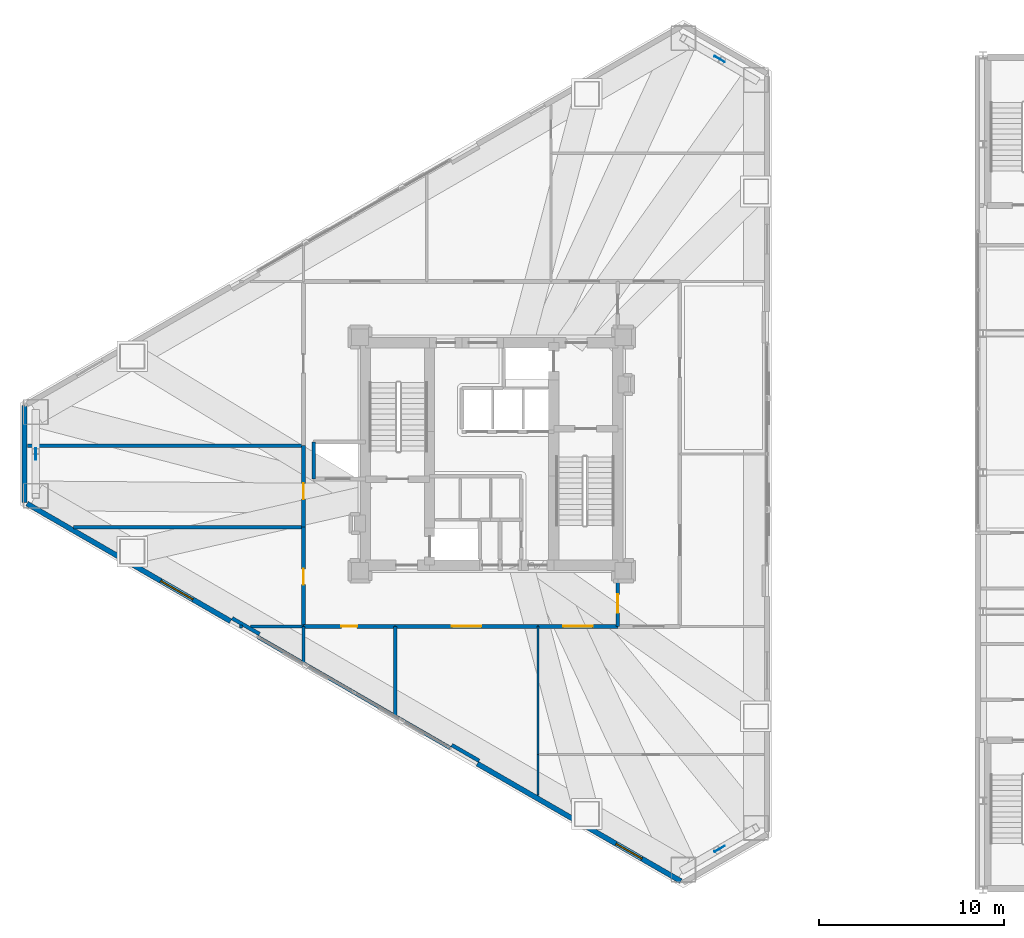
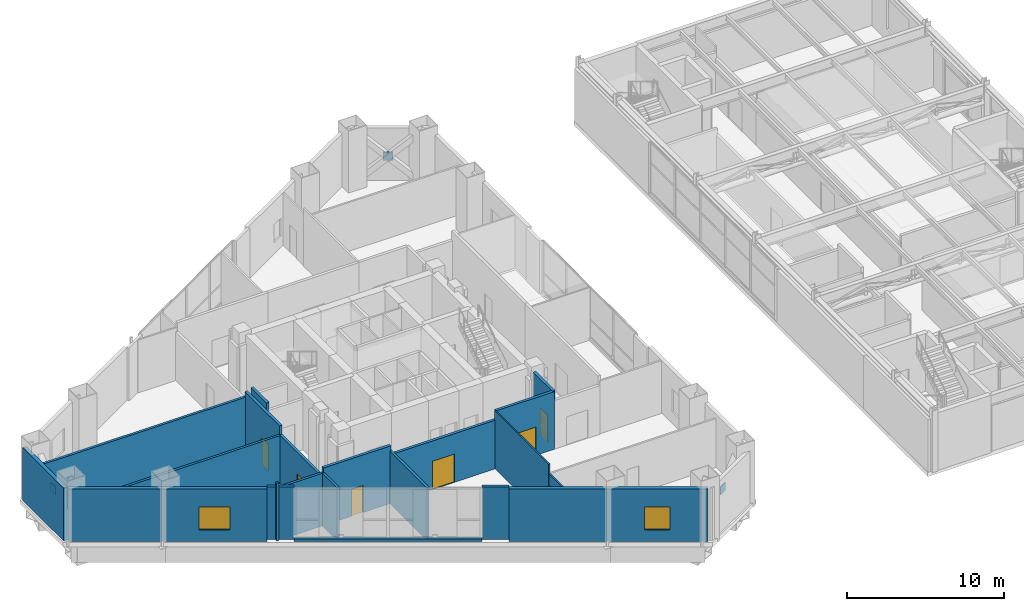
# One storey, part 21 of 29: 21 walls, 6 doors, 3 plates, 2 windows, 8 openings.
"""IFC4 building model written with IfcOpenShell, lengths in metres."""

from ifc_helpers import new_model, si_unit, direction, frame, frame_2d, origin, origin_2d, place, context, subcontext, project, spatial, rectangle, extrude, material, layer, layer_set, type_object, element, fill, save


model = new_model("IFC4")

# Units and contexts
model_context = context("Model", 3, precision=1e-05, world=origin(), true_north=direction((0.0, 1.0)))
body_context = subcontext(model_context, "Body", "Model", "MODEL_VIEW")
ifc_project = project(units=[si_unit("LENGTHUNIT", "METRE"), si_unit("AREAUNIT", "SQUARE_METRE"), si_unit("VOLUMEUNIT", "CUBIC_METRE"), si_unit("PLANEANGLEUNIT", "RADIAN"), si_unit("MASSUNIT", "GRAM", prefix="KILO")], contexts=[model_context])

# Site, building, storey
site_placement = place(None, origin())
site = spatial("IfcSite", under=ifc_project, at=site_placement, CompositionType="ELEMENT")
building_placement = place(site_placement, origin())
building = spatial("IfcBuilding", under=site, at=building_placement, Name="Mersakhor Tower and Convention Hall", CompositionType="ELEMENT")
storey_placement = place(building_placement, frame((0.0, 0.0, 9.60009765625)))
storey = spatial("IfcBuildingStorey", under=building, at=storey_placement, Name="L02", CompositionType="ELEMENT", Elevation=9.60009765625)

# Plates
ifc_material_1 = material(Name="Steel S460", Category="steel")
ifc_layer_1 = layer(ifc_material_1, 0.0400390625)
ifc_layer_set_1 = layer_set([ifc_layer_1], Name="Steel S460")
plate_type = type_object("IfcPlateType", Name="PL-GUSSET-40", PredefinedType="SHEET", material=ifc_layer_set_1)
for number, where, z_axis, x_axis, name in (
    (1, (41.29345703125, 48.04296875, 1.919921875), (0.0, 0.0, 1.0), (-0.866025403784, 0.5, 0.0), "L02 X-Brace Crossing Gusset Node Plate"),
    (2, (41.29345703125, 5.45703125, 1.919921875), (0.0, 0.0, 1.0), (0.866025403784, 0.5, 0.0), "L02 X-Brace Crossing Gusset Node Plate"),
    (3, (4.4130859375, 26.75, 1.919921875), (0.0, 0.0, 1.0), (0.0, -1.0, 0.0), "L02 X-Brace Crossing Gusset Node Plate"),
):
    element("IfcPlate", number, at=place(storey_placement, frame(where, z_axis=z_axis, x_axis=x_axis)), inside=storey, type_object=plate_type, Name=name, PredefinedType="SHEET", context=body_context, shape_type="SweptSolid", body=[
        extrude(rectangle(XDim=0.639892578125, YDim=0.0400390625, at=origin_2d()), origin(), (0.0, 0.0, 1.0), 0.639892578125),
    ])

# Wall
ifc_material_2 = material(Name="Precast concrete C45/55", Category="concrete")
ifc_layer_2 = layer(ifc_material_2, 0.27490234375)
ifc_layer_set_2 = layer_set([ifc_layer_2], Name="Precast concrete C45/55")
wall_type_1 = type_object("IfcWallType", Name="WL-EXT-275", PredefinedType="SOLIDWALL", material=ifc_layer_set_2)
wall_1_placement = place(storey_placement, frame((3.81298828125, 24.144287109375, 0.0), z_axis=(0.0, 0.0, 1.0), x_axis=(0.0, 1.0, 0.0)))
element("IfcWall", 4, at=wall_1_placement, inside=storey, type_object=wall_type_1, Name="L02 Chamfer Braced Spandrel Wall C3", PredefinedType="SOLIDWALL", context=body_context, shape_type="SweptSolid", body=[
    extrude(rectangle(XDim=5.21142578125, YDim=0.27490234375, at=frame_2d((2.605712890625, 0.0))), origin(), (0.0, 0.0, 1.0), 4.099853515625),
])

# Wall, opening, window
wall_2_placement = place(storey_placement, frame((39.20703125, 3.709716796875, 0.0), z_axis=(0.0, 0.0, 1.0), x_axis=(-0.86603192154, 0.499988710747, 0.0)))
wall_2 = element("IfcWall", 5, at=wall_2_placement, inside=storey, type_object=wall_type_1, Name="L02 Exterior Facade Wall F3-B1", PredefinedType="SOLIDWALL", context=body_context, shape_type="SweptSolid", body=[
    extrude(rectangle(XDim=12.673095703125, YDim=0.27490234375, at=frame_2d((6.33642578125, 0.0))), origin(), (0.0, 0.0, 1.0), 4.099853515625),
])
opening_1_placement = place(wall_2_placement, frame((2.43603515625, 0.0, 0.89990234375)))
opening_1 = element("IfcOpeningElement", 6, at=opening_1_placement, cuts=wall_2, Name="Opening W-07", PredefinedType="OPENING", context=body_context, shape_type="SweptSolid", body=[
    extrude(rectangle(XDim=1.60009765625, YDim=1.800048828125, at=frame_2d((0.800048828125, 0.89990234375))), frame((0.0, 0.1474609375, 0.0), z_axis=(0.0, -1.0, 0.0), x_axis=(1.0, 0.0, 0.0)), (0.0, 0.0, 1.0), 0.294921875),
])
ifc_material_3 = material(Name="Dark solar low-E glazed aluminium window", Category="aluminium")
window_type_1 = type_object("IfcWindowType", Name="WN-CLN-160x180", PartitioningType="SINGLE_PANEL", PredefinedType="WINDOW", material=ifc_material_3)
window_1_placement = place(opening_1_placement, origin())
window_1 = element("IfcWindow", 7, at=window_1_placement, inside=storey, type_object=window_type_1, Name="L02 Facade Punched Window F3-B1", OverallHeight=1.800048828125, OverallWidth=1.60009765625, PartitioningType="SINGLE_PANEL", PredefinedType="WINDOW", context=body_context, shape_type="SweptSolid", body=[
    extrude(rectangle(XDim=1.60009765625, YDim=1.800048828125, at=frame_2d((0.800048828125, 0.89990234375))), frame((0.0, 0.030029296875, 0.0), z_axis=(0.0, -1.0, 0.0), x_axis=(1.0, 0.0, 0.0)), (0.0, 0.0, 1.0), 0.06005859375),
])
fill(opening_1, window_1)

wall_3_placement = place(storey_placement, frame((14.918212890625, 17.73291015625, 0.0), z_axis=(0.0, 0.0, 1.0), x_axis=(-0.866027105532, 0.499997052475, 0.0)))
wall_3 = element("IfcWall", 8, at=wall_3_placement, inside=storey, type_object=wall_type_1, Name="L02 Exterior Facade Wall F3-B3", PredefinedType="SOLIDWALL", context=body_context, shape_type="SweptSolid", body=[
    extrude(rectangle(XDim=12.6728515625, YDim=0.27490234375, at=frame_2d((6.33642578125, 0.0))), origin(), (0.0, 0.0, 1.0), 4.099853515625),
])
opening_2_placement = place(wall_3_placement, frame((2.347900390625, 0.0, 0.89990234375)))
opening_2 = element("IfcOpeningElement", 9, at=opening_2_placement, cuts=wall_3, Name="Opening W-08", PredefinedType="OPENING", context=body_context, shape_type="SweptSolid", body=[
    extrude(rectangle(XDim=2.0, YDim=1.800048828125, at=frame_2d((1.0, 0.89990234375))), frame((0.0, 0.1474609375, 0.0), z_axis=(0.0, -1.0, 0.0), x_axis=(1.0, 0.0, 0.0)), (0.0, 0.0, 1.0), 0.294921875),
])
ifc_material_4 = material(Name="Dark solar low-E glazed aluminium window", Category="aluminium")
window_type_2 = type_object("IfcWindowType", Name="WN-CLN-200x180", PartitioningType="SINGLE_PANEL", PredefinedType="WINDOW", material=ifc_material_4)
window_2_placement = place(opening_2_placement, origin())
window_2 = element("IfcWindow", 10, at=window_2_placement, inside=storey, type_object=window_type_2, Name="L02 Facade Punched Window F3-B3", OverallHeight=1.800048828125, OverallWidth=2.0, PartitioningType="SINGLE_PANEL", PredefinedType="WINDOW", context=body_context, shape_type="SweptSolid", body=[
    extrude(rectangle(XDim=2.0, YDim=1.800048828125, at=frame_2d((1.0, 0.89990234375))), frame((0.0, 0.030029296875, 0.0), z_axis=(0.0, -1.0, 0.0), x_axis=(1.0, 0.0, 0.0)), (0.0, 0.0, 1.0), 0.06005859375),
])
fill(opening_2, window_2)

# Walls
ifc_material_5 = material(Name="Precast concrete C40/50", Category="concrete")
ifc_layer_3 = layer(ifc_material_5, 0.199951171875)
ifc_layer_set_3 = layer_set([ifc_layer_3], Name="Precast concrete C40/50")
wall_type_2 = type_object("IfcWallType", Name="WL-PAR-200", PredefinedType="PARAPET", material=ifc_layer_set_3)
wall_4_placement = place(storey_placement, frame((26.759521484375, 10.896240234375, 0.0), z_axis=(0.0, 0.0, 1.0), x_axis=(-0.866027351828, 0.499996625875, 0.0)))
element("IfcWall", 11, at=wall_4_placement, inside=storey, type_object=wall_type_2, Name="L02 Curtain Wall Upstand Sill F3-B2", PredefinedType="PARAPET", context=body_context, shape_type="SweptSolid", body=[
    extrude(rectangle(XDim=11.97314453125, YDim=0.199951171875, at=frame_2d((5.986572265625, 0.0))), origin(), (0.0, 0.0, 1.0), 0.199951171875),
])
for number, where, z_axis, x_axis, name in (
    (12, (28.32177734375, 10.2021484375, 0.0), (0.0, 0.0, 1.0), (-0.86605165483, 0.499954529098, 0.0), "L02 Column Pier Cladding Wall F3-C1"),
    (13, (16.48046875, 17.038818359375, 0.0), (0.0, 0.0, 1.0), (-0.86605165483, 0.499954529098, 0.0), "L02 Column Pier Cladding Wall F3-C2"),
):
    element("IfcWall", number, at=place(storey_placement, frame(where, z_axis=z_axis, x_axis=x_axis)), inside=storey, type_object=wall_type_2, Name=name, PredefinedType="PARAPET", context=body_context, shape_type="SweptSolid", body=[
        extrude(rectangle(XDim=1.699951171875, YDim=0.199951171875, at=frame_2d((0.85009765625, 0.0))), origin(), (0.0, 0.0, 1.0), 4.099853515625),
    ])
ifc_material_6 = material(Name="Moisture-resistant acoustic drywall studwork", Category="other")
ifc_layer_4 = layer(ifc_material_6, 0.175048828125)
ifc_layer_set_4 = layer_set([ifc_layer_4], Name="Moisture-resistant acoustic drywall studwork")
wall_type_3 = type_object("IfcWallType", Name="WL-PLM-175", PredefinedType="PLUMBINGWALL", material=ifc_layer_set_4)
wall_5_placement = place(storey_placement, frame((23.800048828125, 17.449951171875, 0.0), z_axis=(0.0, 0.0, 1.0), x_axis=(0.0, -1.0, 0.0)))
element("IfcWall", 14, at=wall_5_placement, inside=storey, type_object=wall_type_3, Name="L02 Interior Partition Wall P-080", PredefinedType="PLUMBINGWALL", context=body_context, shape_type="SweptSolid", body=[
    extrude(rectangle(XDim=4.798828125, YDim=0.175048828125, at=frame_2d((2.3994140625, 0.0))), origin(), (0.0, 0.0, 1.0), 4.09033203125),
])
wall_6_placement = place(storey_placement, frame((18.85009765625, 15.509033203125, 0.0), z_axis=(0.0, 0.0, 1.0), x_axis=(0.0, 1.0, 0.0)))
element("IfcWall", 15, at=wall_6_placement, inside=storey, type_object=wall_type_3, Name="L02 Interior Partition Wall P-081", PredefinedType="PLUMBINGWALL", context=body_context, shape_type="SweptSolid", body=[
    extrude(rectangle(XDim=1.94091796875, YDim=0.175048828125, at=frame_2d((0.970458984375, 0.0))), origin(), (0.0, 0.0, 1.0), 4.09033203125),
])
wall_7_placement = place(storey_placement, frame((18.85009765625, 17.449951171875, 0.0), z_axis=(0.0, 0.0, 1.0), x_axis=(-1.0, 0.0, 0.0)))
element("IfcWall", 16, at=wall_7_placement, inside=storey, type_object=wall_type_3, Name="L02 Interior Partition Wall P-082", PredefinedType="PLUMBINGWALL", context=body_context, shape_type="SweptSolid", body=[
    extrude(rectangle(XDim=2.856689453125, YDim=0.175048828125, at=frame_2d((1.42822265625, 0.0))), origin(), (0.0, 0.0, 1.0), 4.09033203125),
])
wall_8_placement = place(storey_placement, frame((15.56298828125, 17.449951171875, 0.0), z_axis=(0.0, 0.0, 1.0), x_axis=(-1.0, 0.0, 0.0)))
element("IfcWall", 17, at=wall_8_placement, inside=storey, type_object=wall_type_3, Name="L02 Interior Partition Wall P-083", PredefinedType="PLUMBINGWALL", context=body_context, shape_type="SweptSolid", body=[
    extrude(rectangle(XDim=0.155029296875, YDim=0.175048828125, at=frame_2d((0.07763671875, 0.0))), origin(), (0.0, 0.0, 1.0), 4.47998046875),
])
wall_9_placement = place(storey_placement, frame((6.43505859375, 22.800048828125, 0.0), z_axis=(0.0, 0.0, 1.0), x_axis=(1.0, 0.0, 0.0)))
element("IfcWall", 18, at=wall_9_placement, inside=storey, type_object=wall_type_3, Name="L02 Interior Partition Wall P-084", PredefinedType="PLUMBINGWALL", context=body_context, shape_type="SweptSolid", body=[
    extrude(rectangle(XDim=12.4150390625, YDim=0.175048828125, at=frame_2d((6.20751953125, 0.0))), origin(), (0.0, 0.0, 1.0), 3.77734375),
])
wall_10_placement = place(storey_placement, frame((3.974609375, 27.199951171875, 0.0), z_axis=(0.0, 0.0, 1.0), x_axis=(1.0, 0.0, 0.0)))
element("IfcWall", 19, at=wall_10_placement, inside=storey, type_object=wall_type_3, Name="L02 Interior Partition Wall P-085", PredefinedType="PLUMBINGWALL", context=body_context, shape_type="SweptSolid", body=[
    extrude(rectangle(XDim=14.87548828125, YDim=0.175048828125, at=frame_2d((7.437744140625, 0.0))), origin(), (0.0, 0.0, 1.0), 4.09033203125),
])
ifc_material_7 = material(Name="Lightweight gypsum partition", Category="other")
ifc_layer_5 = layer(ifc_material_7, 0.10009765625)
ifc_layer_set_5 = layer_set([ifc_layer_5], Name="Lightweight gypsum partition")
wall_type_4 = type_object("IfcWallType", Name="WL-PRT-100", PredefinedType="PARTITIONING", material=ifc_layer_set_5)
wall_11_placement = place(storey_placement, frame((31.5, 8.345703125, 0.0), z_axis=(0.0, 0.0, 1.0), x_axis=(0.0, 1.0, 0.0)))
element("IfcWall", 20, at=wall_11_placement, inside=storey, type_object=wall_type_4, Name="L02 Interior Partition Wall P-100", PredefinedType="PARTITIONING", context=body_context, shape_type="SweptSolid", body=[
    extrude(rectangle(XDim=2.1943359375, YDim=0.10009765625, at=frame_2d((1.09716796875, 0.0))), origin(), (0.0, 0.0, 1.0), 3.77734375),
])
wall_12_placement = place(storey_placement, frame((31.5, 10.5400390625, 0.0), z_axis=(0.0, 0.0, 1.0), x_axis=(0.0, 1.0, 0.0)))
element("IfcWall", 21, at=wall_12_placement, inside=storey, type_object=wall_type_4, Name="L02 Interior Partition Wall P-102", PredefinedType="PARTITIONING", context=body_context, shape_type="SweptSolid", body=[
    extrude(rectangle(XDim=6.909912109375, YDim=0.10009765625, at=frame_2d((3.455078125, 0.0))), origin(), (0.0, 0.0, 1.0), 4.47998046875),
])
ifc_material_8 = material(Name="Acoustic concrete blockwork and gypsum board", Category="masonry")
ifc_layer_6 = layer(ifc_material_8, 0.199951171875)
ifc_layer_set_6 = layer_set([ifc_layer_6], Name="Acoustic concrete blockwork and gypsum board")
wall_type_5 = type_object("IfcWallType", Name="WL-PRT-200", PredefinedType="PARTITIONING", material=ifc_layer_set_6)
wall_13_placement = place(storey_placement, frame((19.39990234375, 25.39990234375, 0.0), z_axis=(0.0, 0.0, 1.0), x_axis=(0.0, 1.0, 0.0)))
element("IfcWall", 22, at=wall_13_placement, inside=storey, type_object=wall_type_5, Name="L02 Clinic Lift West Wall", PredefinedType="PARTITIONING", context=body_context, shape_type="SweptSolid", body=[
    extrude(rectangle(XDim=2.0, YDim=0.199951171875, at=frame_2d((1.0, 0.0))), origin(), (0.0, 0.0, 1.0), 4.47998046875),
])

# Wall, opening, door
wall_14_placement = place(storey_placement, frame((35.800048828125, 19.89990234375, 0.0), z_axis=(0.0, 0.0, 1.0), x_axis=(0.0, -1.0, 0.0)))
wall_14 = element("IfcWall", 23, at=wall_14_placement, inside=storey, type_object=wall_type_5, Name="L02 Interior Partition Wall P-042", PredefinedType="PARTITIONING", context=body_context, shape_type="SweptSolid", body=[
    extrude(rectangle(XDim=2.449951171875, YDim=0.199951171875, at=frame_2d((1.22509765625, 0.0))), origin(), (0.0, 0.0, 1.0), 4.47998046875),
])
opening_3_placement = place(wall_14_placement, frame((0.72509765625, 0.0, 0.0)))
opening_3 = element("IfcOpeningElement", 24, at=opening_3_placement, cuts=wall_14, Name="Opening FD-01", PredefinedType="OPENING", context=body_context, shape_type="SweptSolid", body=[
    extrude(rectangle(XDim=1.0, YDim=2.14990234375, at=frame_2d((0.5, 1.074951171875))), frame((0.0, 0.10986328125, 0.0), z_axis=(0.0, -1.0, 0.0), x_axis=(1.0, 0.0, 0.0)), (0.0, 0.0, 1.0), 0.219970703125),
])
ifc_material_9 = material(Name="Fire-rated hardwood leaf and painted steel frame", Category="steel")
door_type_1 = type_object("IfcDoorType", Name="DR-INT-FLT-100x215", OperationType="NOTDEFINED", PredefinedType="DOOR", material=ifc_material_9)
door_1_placement = place(opening_3_placement, origin())
door_1 = element("IfcDoor", 25, at=door_1_placement, inside=storey, type_object=door_type_1, Name="L02 Ring Corridor Fire Door", OperationType="SINGLE_SWING_LEFT", OverallHeight=2.14990234375, OverallWidth=1.0, PredefinedType="DOOR", context=body_context, shape_type="SweptSolid", body=[
    extrude(rectangle(XDim=1.0, YDim=2.14990234375, at=frame_2d((0.5, 1.074951171875))), frame((0.0, 0.02490234375, 0.0), z_axis=(0.0, -1.0, 0.0), x_axis=(1.0, 0.0, 0.0)), (0.0, 0.0, 1.0), 0.050048828125),
])
fill(opening_3, door_1)

wall_15_placement = place(storey_placement, frame((35.800048828125, 17.449951171875, 0.0), z_axis=(0.0, 0.0, 1.0), x_axis=(-1.0, 0.0, 0.0)))
wall_15 = element("IfcWall", 26, at=wall_15_placement, inside=storey, type_object=wall_type_5, Name="L02 Interior Partition Wall P-043", PredefinedType="PARTITIONING", context=body_context, shape_type="SweptSolid", body=[
    extrude(rectangle(XDim=4.300048828125, YDim=0.199951171875, at=frame_2d((2.14990234375, 0.0))), origin(), (0.0, 0.0, 1.0), 4.47998046875),
])
opening_4_placement = place(wall_15_placement, frame((1.35009765625, 0.0, 0.0)))
opening_4 = element("IfcOpeningElement", 27, at=opening_4_placement, cuts=wall_15, Name="Opening CD-01", PredefinedType="OPENING", context=body_context, shape_type="SweptSolid", body=[
    extrude(rectangle(XDim=1.60009765625, YDim=2.199951171875, at=frame_2d((0.800048828125, 1.10009765625))), frame((0.0, 0.10986328125, 0.0), z_axis=(0.0, -1.0, 0.0), x_axis=(1.0, 0.0, 0.0)), (0.0, 0.0, 1.0), 0.219970703125),
])
ifc_material_10 = material(Name="Fire-rated hardwood leaf and painted steel frame", Category="steel")
door_type_2 = type_object("IfcDoorType", Name="DR-INT-COR-160x220", OperationType="NOTDEFINED", PredefinedType="DOOR", material=ifc_material_10)
door_2_placement = place(opening_4_placement, origin())
door_2 = element("IfcDoor", 28, at=door_2_placement, inside=storey, type_object=door_type_2, Name="L02 L02 Primary Healthcare Clinical Corridor to Phlebotomy and Triage Room Annex Door", OperationType="DOUBLE_DOOR_SINGLE_SWING", OverallHeight=2.199951171875, OverallWidth=1.60009765625, PredefinedType="DOOR", context=body_context, shape_type="SweptSolid", body=[
    extrude(rectangle(XDim=1.60009765625, YDim=2.199951171875, at=frame_2d((0.800048828125, 1.10009765625))), frame((0.0, 0.02490234375, 0.0), z_axis=(0.0, -1.0, 0.0), x_axis=(1.0, 0.0, 0.0)), (0.0, 0.0, 1.0), 0.050048828125),
])
fill(opening_4, door_2)

wall_16_placement = place(storey_placement, frame((31.5, 17.449951171875, 0.0), z_axis=(0.0, 0.0, 1.0), x_axis=(-1.0, 0.0, 0.0)))
wall_16 = element("IfcWall", 29, at=wall_16_placement, inside=storey, type_object=wall_type_5, Name="L02 Interior Partition Wall P-044", PredefinedType="PARTITIONING", context=body_context, shape_type="SweptSolid", body=[
    extrude(rectangle(XDim=7.699951171875, YDim=0.199951171875, at=frame_2d((3.85009765625, 0.0))), origin(), (0.0, 0.0, 1.0), 3.77734375),
])
opening_5_placement = place(wall_16_placement, frame((3.050048828125, 0.0, 0.0)))
opening_5 = element("IfcOpeningElement", 30, at=opening_5_placement, cuts=wall_16, Name="Opening CD-01", PredefinedType="OPENING", context=body_context, shape_type="SweptSolid", body=[
    extrude(rectangle(XDim=1.60009765625, YDim=2.199951171875, at=frame_2d((0.800048828125, 1.10009765625))), frame((0.0, 0.10986328125, 0.0), z_axis=(0.0, -1.0, 0.0), x_axis=(1.0, 0.0, 0.0)), (0.0, 0.0, 1.0), 0.219970703125),
])
door_3_placement = place(opening_5_placement, origin())
door_3 = element("IfcDoor", 31, at=door_3_placement, inside=storey, type_object=door_type_2, Name="L02 L02 Primary Healthcare Clinical Corridor to Vaccination and Nursing Room Door", OperationType="DOUBLE_DOOR_SINGLE_SWING", OverallHeight=2.199951171875, OverallWidth=1.60009765625, PredefinedType="DOOR", context=body_context, shape_type="SweptSolid", body=[
    extrude(rectangle(XDim=1.60009765625, YDim=2.199951171875, at=frame_2d((0.800048828125, 1.10009765625))), frame((0.0, 0.02490234375, 0.0), z_axis=(0.0, -1.0, 0.0), x_axis=(1.0, 0.0, 0.0)), (0.0, 0.0, 1.0), 0.050048828125),
])
fill(opening_5, door_3)

wall_17_placement = place(storey_placement, frame((23.800048828125, 17.449951171875, 0.0), z_axis=(0.0, 0.0, 1.0), x_axis=(-1.0, 0.0, 0.0)))
wall_17 = element("IfcWall", 32, at=wall_17_placement, inside=storey, type_object=wall_type_5, Name="L02 Interior Partition Wall P-045", PredefinedType="PARTITIONING", context=body_context, shape_type="SweptSolid", body=[
    extrude(rectangle(XDim=4.949951171875, YDim=0.199951171875, at=frame_2d((2.47509765625, 0.0))), origin(), (0.0, 0.0, 1.0), 4.47998046875),
])
opening_6_placement = place(wall_17_placement, frame((2.050048828125, 0.0, 0.0)))
opening_6 = element("IfcOpeningElement", 33, at=opening_6_placement, cuts=wall_17, Name="Opening SVD-01", PredefinedType="OPENING", context=body_context, shape_type="SweptSolid", body=[
    extrude(rectangle(XDim=0.85009765625, YDim=2.10009765625, at=frame_2d((0.425048828125, 1.050048828125))), frame((0.0, 0.10986328125, 0.0), z_axis=(0.0, -1.0, 0.0), x_axis=(1.0, 0.0, 0.0)), (0.0, 0.0, 1.0), 0.219970703125),
])
ifc_material_11 = material(Name="Fire-rated hardwood leaf and painted steel frame", Category="steel")
door_type_3 = type_object("IfcDoorType", Name="DR-INT-SVC-085x210", OperationType="NOTDEFINED", PredefinedType="DOOR", material=ifc_material_11)
door_4_placement = place(opening_6_placement, origin())
door_4 = element("IfcDoor", 34, at=door_4_placement, inside=storey, type_object=door_type_3, Name="L02 L02 Primary Healthcare Clinical Corridor to Clinic Public Male Toilets Door", OperationType="SINGLE_SWING_LEFT", OverallHeight=2.10009765625, OverallWidth=0.85009765625, PredefinedType="DOOR", context=body_context, shape_type="SweptSolid", body=[
    extrude(rectangle(XDim=0.85009765625, YDim=2.10009765625, at=frame_2d((0.425048828125, 1.050048828125))), frame((0.0, 0.02490234375, 0.0), z_axis=(0.0, -1.0, 0.0), x_axis=(1.0, 0.0, 0.0)), (0.0, 0.0, 1.0), 0.050048828125),
])
fill(opening_6, door_4)

wall_18_placement = place(storey_placement, frame((18.85009765625, 17.449951171875, 0.0), z_axis=(0.0, 0.0, 1.0), x_axis=(0.0, 1.0, 0.0)))
wall_18 = element("IfcWall", 35, at=wall_18_placement, inside=storey, type_object=wall_type_5, Name="L02 Interior Partition Wall P-046", PredefinedType="PARTITIONING", context=body_context, shape_type="SweptSolid", body=[
    extrude(rectangle(XDim=5.35009765625, YDim=0.199951171875, at=frame_2d((2.675048828125, 0.0))), origin(), (0.0, 0.0, 1.0), 3.77734375),
])
opening_7_placement = place(wall_18_placement, frame((2.25, 0.0, 0.0)))
opening_7 = element("IfcOpeningElement", 36, at=opening_7_placement, cuts=wall_18, Name="Opening SVD-01", PredefinedType="OPENING", context=body_context, shape_type="SweptSolid", body=[
    extrude(rectangle(XDim=0.85009765625, YDim=2.10009765625, at=frame_2d((0.425048828125, 1.050048828125))), frame((0.0, 0.10986328125, 0.0), z_axis=(0.0, -1.0, 0.0), x_axis=(1.0, 0.0, 0.0)), (0.0, 0.0, 1.0), 0.219970703125),
])
door_5_placement = place(opening_7_placement, origin())
door_5 = element("IfcDoor", 37, at=door_5_placement, inside=storey, type_object=door_type_3, Name="L02 L02 Primary Healthcare Clinical Corridor to Clinic Public Female Toilets Door", OperationType="SINGLE_SWING_RIGHT", OverallHeight=2.10009765625, OverallWidth=0.85009765625, PredefinedType="DOOR", context=body_context, shape_type="SweptSolid", body=[
    extrude(rectangle(XDim=0.85009765625, YDim=2.10009765625, at=frame_2d((0.425048828125, 1.050048828125))), frame((0.0, 0.02490234375, 0.0), z_axis=(0.0, -1.0, 0.0), x_axis=(1.0, 0.0, 0.0)), (0.0, 0.0, 1.0), 0.050048828125),
])
fill(opening_7, door_5)

wall_19_placement = place(storey_placement, frame((18.85009765625, 22.800048828125, 0.0), z_axis=(0.0, 0.0, 1.0), x_axis=(0.0, 1.0, 0.0)))
wall_19 = element("IfcWall", 38, at=wall_19_placement, inside=storey, type_object=wall_type_5, Name="L02 Interior Partition Wall P-047", PredefinedType="PARTITIONING", context=body_context, shape_type="SweptSolid", body=[
    extrude(rectangle(XDim=4.39990234375, YDim=0.199951171875, at=frame_2d((2.199951171875, 0.0))), origin(), (0.0, 0.0, 1.0), 4.47998046875),
])
opening_8_placement = place(wall_19_placement, frame((1.520751953125, 0.0, 0.0)))
opening_8 = element("IfcOpeningElement", 39, at=opening_8_placement, cuts=wall_19, Name="Opening SVD-01", PredefinedType="OPENING", context=body_context, shape_type="SweptSolid", body=[
    extrude(rectangle(XDim=0.85009765625, YDim=2.10009765625, at=frame_2d((0.425048828125, 1.050048828125))), frame((0.0, 0.10986328125, 0.0), z_axis=(0.0, -1.0, 0.0), x_axis=(1.0, 0.0, 0.0)), (0.0, 0.0, 1.0), 0.219970703125),
])
door_6_placement = place(opening_8_placement, origin())
door_6 = element("IfcDoor", 40, at=door_6_placement, inside=storey, type_object=door_type_3, Name="L02 L02 Primary Healthcare Clinical Corridor to Clinic Accessible Patient Toilet WC Door", OperationType="SINGLE_SWING_LEFT", OverallHeight=2.10009765625, OverallWidth=0.85009765625, PredefinedType="DOOR", context=body_context, shape_type="SweptSolid", body=[
    extrude(rectangle(XDim=0.85009765625, YDim=2.10009765625, at=frame_2d((0.425048828125, 1.050048828125))), frame((0.0, 0.02490234375, 0.0), z_axis=(0.0, -1.0, 0.0), x_axis=(1.0, 0.0, 0.0)), (0.0, 0.0, 1.0), 0.050048828125),
])
fill(opening_8, door_6)

save(model, "model.ifc")
